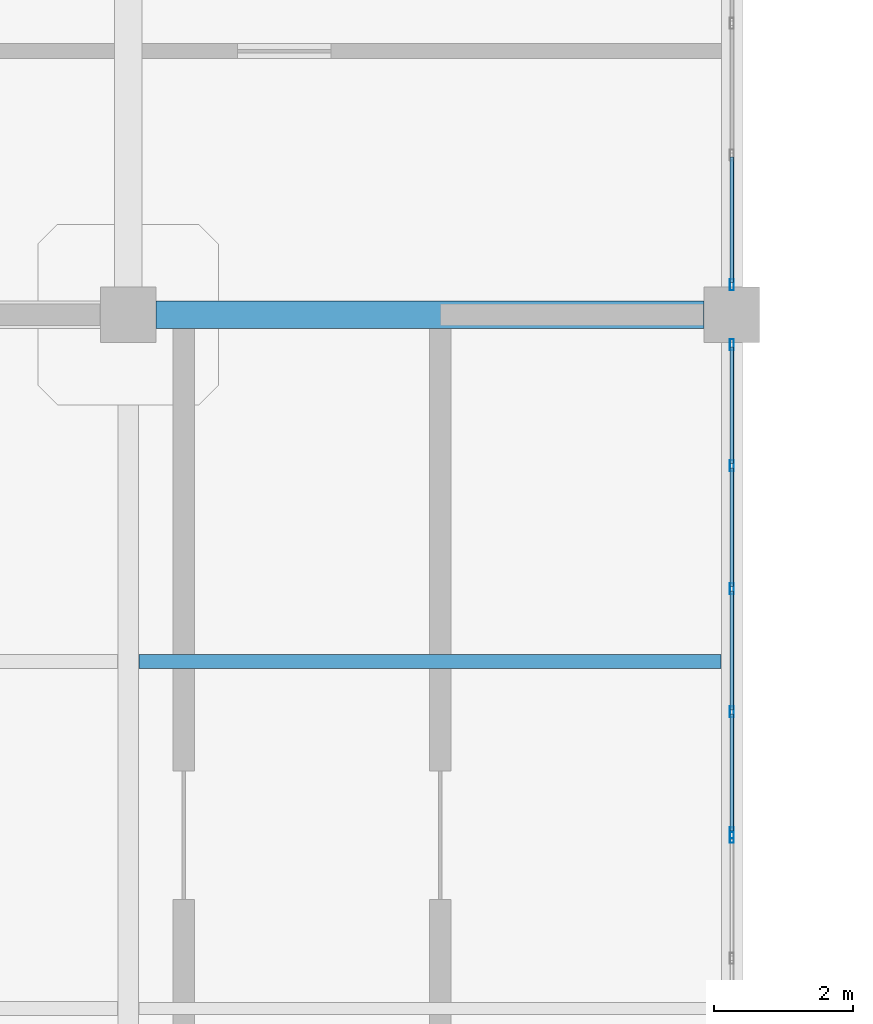
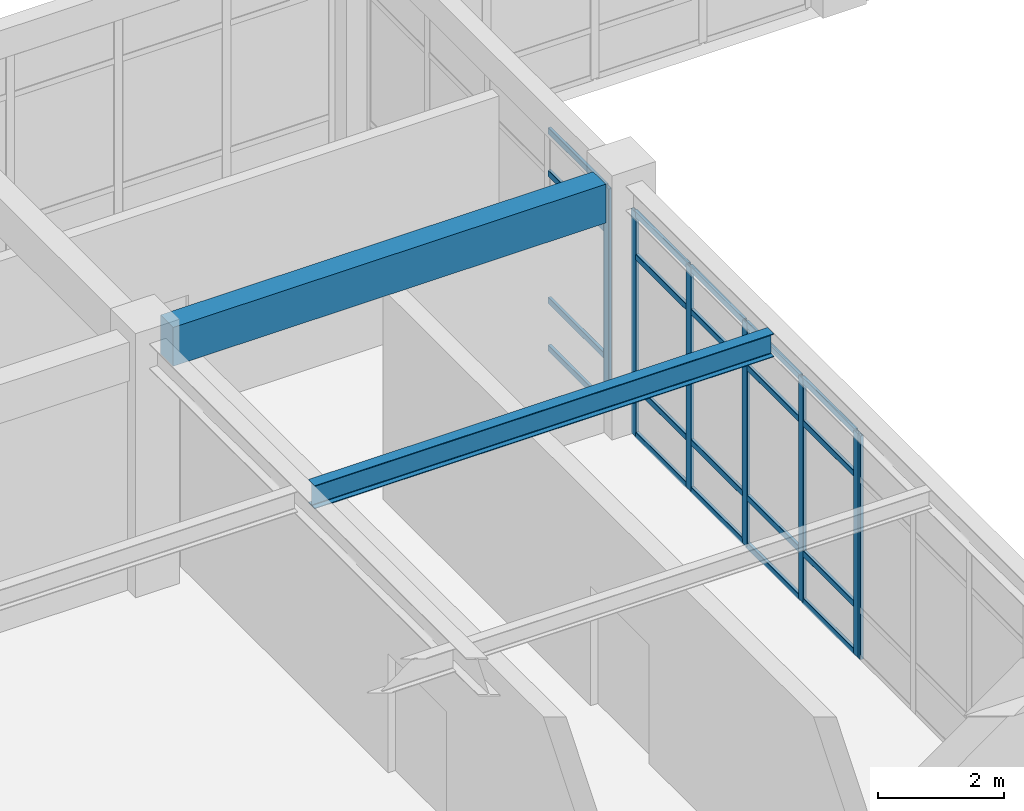
# One storey, part 43 of 96: 27 members, 2 beams, 3 elements without a shape of their own.
"""IFC4 building model written with IfcOpenShell, lengths in metres."""

from ifc_helpers import new_model, si_unit, derived_unit, direction, frame, origin, origin_2d, place, context, subcontext, project, spatial, rectangle, hollow_rectangle, i_section, extrude, material, layer, layer_set, material_profile, profile_set, type_object, element, aggregate, save


model = new_model("IFC4")

# Units and contexts
model_context = context("Model", 3, precision=1e-05, world=origin(), true_north=direction((0.0, 1.0)))
body_context = subcontext(model_context, "Body", "Model", "MODEL_VIEW")
ifc_project = project(units=[si_unit("LENGTHUNIT", "METRE"), si_unit("AREAUNIT", "SQUARE_METRE"), si_unit("VOLUMEUNIT", "CUBIC_METRE"), si_unit("PLANEANGLEUNIT", "RADIAN"), si_unit("MASSUNIT", "GRAM", prefix="KILO"), derived_unit("THERMALTRANSMITTANCEUNIT", [(si_unit("MASSUNIT", "GRAM", prefix="KILO"), 1), (si_unit("TIMEUNIT", "SECOND"), -3), (si_unit("THERMODYNAMICTEMPERATUREUNIT", "KELVIN"), -1)])], contexts=[model_context])

# Site, building, storey
site_placement = place(None, origin())
site = spatial("IfcSite", under=ifc_project, at=site_placement, CompositionType="ELEMENT")
building_placement = place(site_placement, origin())
building = spatial("IfcBuilding", under=site, at=building_placement, Name="Qinzheling Arcade Emporium", CompositionType="ELEMENT")
storey_placement = place(building_placement, frame((0.0, 0.0, 21.60009765625)))
storey = spatial("IfcBuildingStorey", under=building, at=storey_placement, Name="L05", CompositionType="ELEMENT", Elevation=21.60009765625)

# Curtain wall, member
ifc_material_1 = material(Name="Anodised aluminium and solar-control double glazing", Category="aluminium")
ifc_layer = layer(ifc_material_1, 0.159912109375, Name="Anodised aluminium and solar-control double glazing", Category="aluminium")
ifc_layer_set = layer_set([ifc_layer], Name="Anodised aluminium and solar-control double glazing")
curtain_wall_type = type_object("IfcCurtainWallType", Name="Atrium Clerestory Curtain Wall", PredefinedType="NOTDEFINED", material=ifc_layer_set)
curtain_wall_1_placement = place(storey_placement, origin())
curtain_wall_1 = element("IfcCurtainWall", 1, at=curtain_wall_1_placement, inside=storey, type_object=curtain_wall_type, Name="Curtain Wall CW-L05-326", PredefinedType="NOTDEFINED")
ifc_material_2 = material(Name="Anodised aluminium 6063-T6", Category="aluminium")
ifc_material_profile_1 = material_profile(ifc_material_2, hollow_rectangle(XDim=0.06005859375, YDim=0.159912109375, WallThickness=0.00390625, InnerFilletRadius=0.00390625, OuterFilletRadius=0.008056640625, at=origin_2d()), Name="RHS 160x60x4", Category="aluminium")
ifc_profile_set_1 = profile_set([ifc_material_profile_1], Name="Anodised aluminium 6063-T6")
member_type_1 = type_object("IfcMemberType", Name="Curtain Wall Mullion RHS160x60", PredefinedType="MULLION", material=ifc_profile_set_1)
member_1_placement = place(storey_placement, frame((104.39990234375, 65.83203125, 0.0), z_axis=(0.0, 0.0, 1.0), x_axis=(1.0, 0.0, 0.0)))
member_1 = element("IfcMember", 2, at=member_1_placement, type_object=member_type_1, Name="CW03 mullion 5", PredefinedType="MULLION", context=body_context, shape_type="SweptSolid", body=[
    extrude(hollow_rectangle(XDim=0.06005859375, YDim=0.159912109375, WallThickness=0.00390625, InnerFilletRadius=0.00390625, OuterFilletRadius=0.008056640625, at=origin_2d()), origin(), (0.0, 0.0, 1.0), 4.2548828125),
])

# Curtain wall, members
curtain_wall_2_placement = place(storey_placement, origin())
curtain_wall_2 = element("IfcCurtainWall", 3, at=curtain_wall_2_placement, inside=storey, type_object=curtain_wall_type, Name="Curtain Wall CW-L05-327", PredefinedType="NOTDEFINED")
member_2_placement = place(storey_placement, frame((104.39990234375, 64.968017578125, 0.0), z_axis=(0.0, 0.0, 1.0), x_axis=(1.0, 0.0, 0.0)))
member_2 = element("IfcMember", 4, at=member_2_placement, type_object=member_type_1, Name="CW03 mullion 1", PredefinedType="MULLION", context=body_context, shape_type="SweptSolid", body=[
    extrude(hollow_rectangle(XDim=0.06005859375, YDim=0.159912109375, WallThickness=0.00390625, InnerFilletRadius=0.00390625, OuterFilletRadius=0.008056640625, at=origin_2d()), origin(), (0.0, 0.0, 1.0), 4.31689453125),
])
member_3_placement = place(storey_placement, frame((104.39990234375, 63.22412109375, 0.0), z_axis=(0.0, 0.0, 1.0), x_axis=(1.0, 0.0, 0.0)))
member_3 = element("IfcMember", 5, at=member_3_placement, type_object=member_type_1, Name="CW03 mullion 2", PredefinedType="MULLION", context=body_context, shape_type="SweptSolid", body=[
    extrude(hollow_rectangle(XDim=0.06005859375, YDim=0.159912109375, WallThickness=0.00390625, InnerFilletRadius=0.00390625, OuterFilletRadius=0.008056640625, at=origin_2d()), origin(), (0.0, 0.0, 1.0), 4.31689453125),
])
member_4_placement = place(storey_placement, frame((104.39990234375, 61.449951171875, 0.0), z_axis=(0.0, 0.0, 1.0), x_axis=(1.0, 0.0, 0.0)))
member_4 = element("IfcMember", 6, at=member_4_placement, type_object=member_type_1, Name="CW03 mullion 3", PredefinedType="MULLION", context=body_context, shape_type="SweptSolid", body=[
    extrude(hollow_rectangle(XDim=0.06005859375, YDim=0.159912109375, WallThickness=0.00390625, InnerFilletRadius=0.00390625, OuterFilletRadius=0.008056640625, at=origin_2d()), origin(), (0.0, 0.0, 1.0), 4.31689453125),
])
member_5_placement = place(storey_placement, frame((104.39990234375, 59.676025390625, 0.0), z_axis=(0.0, 0.0, 1.0), x_axis=(1.0, 0.0, 0.0)))
member_5 = element("IfcMember", 7, at=member_5_placement, type_object=member_type_1, Name="CW03 mullion 4", PredefinedType="MULLION", context=body_context, shape_type="SweptSolid", body=[
    extrude(hollow_rectangle(XDim=0.06005859375, YDim=0.159912109375, WallThickness=0.00390625, InnerFilletRadius=0.00390625, OuterFilletRadius=0.008056640625, at=origin_2d()), origin(), (0.0, 0.0, 1.0), 4.31689453125),
])
member_6_placement = place(storey_placement, frame((104.39990234375, 57.931884765625, 0.0), z_axis=(0.0, 0.0, 1.0), x_axis=(1.0, 0.0, 0.0)))
member_6 = element("IfcMember", 8, at=member_6_placement, type_object=member_type_1, Name="CW03 mullion 5", PredefinedType="MULLION", context=body_context, shape_type="SweptSolid", body=[
    extrude(hollow_rectangle(XDim=0.06005859375, YDim=0.159912109375, WallThickness=0.00390625, InnerFilletRadius=0.00390625, OuterFilletRadius=0.008056640625, at=origin_2d()), origin(), (0.0, 0.0, 1.0), 4.31689453125),
])

# Curtain wall, member
curtain_wall_3_placement = place(storey_placement, origin())
curtain_wall_3 = element("IfcCurtainWall", 9, at=curtain_wall_3_placement, inside=storey, type_object=curtain_wall_type, Name="Curtain Wall CW-L05-328", PredefinedType="NOTDEFINED")
member_7_placement = place(storey_placement, frame((104.39990234375, 57.867919921875, 0.0), z_axis=(0.0, 0.0, 1.0), x_axis=(1.0, 0.0, 0.0)))
member_7 = element("IfcMember", 10, at=member_7_placement, type_object=member_type_1, Name="CW03 mullion 1", PredefinedType="MULLION", context=body_context, shape_type="SweptSolid", body=[
    extrude(hollow_rectangle(XDim=0.06005859375, YDim=0.159912109375, WallThickness=0.00390625, InnerFilletRadius=0.00390625, OuterFilletRadius=0.008056640625, at=origin_2d()), origin(), (0.0, 0.0, 1.0), 4.31689453125),
])
aggregate(curtain_wall_3, [member_7])

# Member
ifc_material_profile_2 = material_profile(ifc_material_2, hollow_rectangle(XDim=0.06005859375, YDim=0.1201171875, WallThickness=0.00390625, InnerFilletRadius=0.00390625, OuterFilletRadius=0.008056640625, at=origin_2d()), Name="RHS 120x60x4", Category="aluminium")
ifc_profile_set_2 = profile_set([ifc_material_profile_2], Name="Anodised aluminium 6063-T6")
member_type_2 = type_object("IfcMemberType", Name="Curtain Wall Transom RHS120x60", PredefinedType="USERDEFINED", material=ifc_profile_set_2)
member_8_placement = place(storey_placement, frame((104.39990234375, 67.6708984375, 0.02978515625), z_axis=(0.0, -1.0, 0.0), x_axis=(1.0, 0.0, 0.0)))
member_8 = element("IfcMember", 11, at=member_8_placement, type_object=member_type_2, Name="CW03 transom 4.1", ObjectType="TRANSOM", PredefinedType="USERDEFINED", context=body_context, shape_type="SweptSolid", body=[
    extrude(hollow_rectangle(XDim=0.06005859375, YDim=0.1201171875, WallThickness=0.00390625, InnerFilletRadius=0.00390625, OuterFilletRadius=0.008056640625, at=origin_2d()), origin(), (0.0, 0.0, 1.0), 1.808837890625),
])

member_9_placement = place(storey_placement, frame((104.39990234375, 67.6708984375, 0.949951171875), z_axis=(0.0, -1.0, 0.0), x_axis=(1.0, 0.0, 0.0)))
member_9 = element("IfcMember", 12, at=member_9_placement, type_object=member_type_2, Name="CW03 transom 4.2", ObjectType="TRANSOM", PredefinedType="USERDEFINED", context=body_context, shape_type="SweptSolid", body=[
    extrude(hollow_rectangle(XDim=0.06005859375, YDim=0.1201171875, WallThickness=0.00390625, InnerFilletRadius=0.00390625, OuterFilletRadius=0.008056640625, at=origin_2d()), origin(), (0.0, 0.0, 1.0), 1.808837890625),
])

member_10_placement = place(storey_placement, frame((104.39990234375, 67.6708984375, 3.40478515625), z_axis=(0.0, -1.0, 0.0), x_axis=(1.0, 0.0, 0.0)))
member_10 = element("IfcMember", 13, at=member_10_placement, type_object=member_type_2, Name="CW03 transom 4.3", ObjectType="TRANSOM", PredefinedType="USERDEFINED", context=body_context, shape_type="SweptSolid", body=[
    extrude(hollow_rectangle(XDim=0.06005859375, YDim=0.1201171875, WallThickness=0.00390625, InnerFilletRadius=0.00390625, OuterFilletRadius=0.008056640625, at=origin_2d()), origin(), (0.0, 0.0, 1.0), 1.808837890625),
])

member_11_placement = place(storey_placement, frame((104.39990234375, 67.6708984375, 4.224853515625), z_axis=(0.0, -1.0, 0.0), x_axis=(1.0, 0.0, 0.0)))
member_11 = element("IfcMember", 14, at=member_11_placement, type_object=member_type_2, Name="CW03 transom 4.4", ObjectType="TRANSOM", PredefinedType="USERDEFINED", context=body_context, shape_type="SweptSolid", body=[
    extrude(hollow_rectangle(XDim=0.06005859375, YDim=0.1201171875, WallThickness=0.00390625, InnerFilletRadius=0.00390625, OuterFilletRadius=0.008056640625, at=origin_2d()), origin(), (0.0, 0.0, 1.0), 1.808837890625),
])

aggregate(curtain_wall_1, [member_1, member_8, member_9, member_10, member_11])

member_12_placement = place(storey_placement, frame((104.39990234375, 64.93798828125, 0.02978515625), z_axis=(0.0, -1.0, 0.0), x_axis=(1.0, 0.0, 0.0)))
member_12 = element("IfcMember", 15, at=member_12_placement, type_object=member_type_2, Name="CW03 transom 1.1", ObjectType="TRANSOM", PredefinedType="USERDEFINED", context=body_context, shape_type="SweptSolid", body=[
    extrude(hollow_rectangle(XDim=0.06005859375, YDim=0.1201171875, WallThickness=0.00390625, InnerFilletRadius=0.00390625, OuterFilletRadius=0.008056640625, at=origin_2d()), origin(), (0.0, 0.0, 1.0), 1.68408203125),
])

member_13_placement = place(storey_placement, frame((104.39990234375, 64.93798828125, 0.949951171875), z_axis=(0.0, -1.0, 0.0), x_axis=(1.0, 0.0, 0.0)))
member_13 = element("IfcMember", 16, at=member_13_placement, type_object=member_type_2, Name="CW03 transom 1.2", ObjectType="TRANSOM", PredefinedType="USERDEFINED", context=body_context, shape_type="SweptSolid", body=[
    extrude(hollow_rectangle(XDim=0.06005859375, YDim=0.1201171875, WallThickness=0.00390625, InnerFilletRadius=0.00390625, OuterFilletRadius=0.008056640625, at=origin_2d()), origin(), (0.0, 0.0, 1.0), 1.68408203125),
])

member_14_placement = place(storey_placement, frame((104.39990234375, 64.93798828125, 3.466796875), z_axis=(0.0, -1.0, 0.0), x_axis=(1.0, 0.0, 0.0)))
member_14 = element("IfcMember", 17, at=member_14_placement, type_object=member_type_2, Name="CW03 transom 1.3", ObjectType="TRANSOM", PredefinedType="USERDEFINED", context=body_context, shape_type="SweptSolid", body=[
    extrude(hollow_rectangle(XDim=0.06005859375, YDim=0.1201171875, WallThickness=0.00390625, InnerFilletRadius=0.00390625, OuterFilletRadius=0.008056640625, at=origin_2d()), origin(), (0.0, 0.0, 1.0), 1.68408203125),
])

member_15_placement = place(storey_placement, frame((104.39990234375, 64.93798828125, 4.286865234375), z_axis=(0.0, -1.0, 0.0), x_axis=(1.0, 0.0, 0.0)))
member_15 = element("IfcMember", 18, at=member_15_placement, type_object=member_type_2, Name="CW03 transom 1.4", ObjectType="TRANSOM", PredefinedType="USERDEFINED", context=body_context, shape_type="SweptSolid", body=[
    extrude(hollow_rectangle(XDim=0.06005859375, YDim=0.1201171875, WallThickness=0.00390625, InnerFilletRadius=0.00390625, OuterFilletRadius=0.008056640625, at=origin_2d()), origin(), (0.0, 0.0, 1.0), 1.68408203125),
])

member_16_placement = place(storey_placement, frame((104.39990234375, 63.194091796875, 0.02978515625), z_axis=(0.0, -1.0, 0.0), x_axis=(1.0, 0.0, 0.0)))
member_16 = element("IfcMember", 19, at=member_16_placement, type_object=member_type_2, Name="CW03 transom 2.1", ObjectType="TRANSOM", PredefinedType="USERDEFINED", context=body_context, shape_type="SweptSolid", body=[
    extrude(hollow_rectangle(XDim=0.06005859375, YDim=0.1201171875, WallThickness=0.00390625, InnerFilletRadius=0.00390625, OuterFilletRadius=0.008056640625, at=origin_2d()), origin(), (0.0, 0.0, 1.0), 1.714111328125),
])

member_17_placement = place(storey_placement, frame((104.39990234375, 63.194091796875, 0.949951171875), z_axis=(0.0, -1.0, 0.0), x_axis=(1.0, 0.0, 0.0)))
member_17 = element("IfcMember", 20, at=member_17_placement, type_object=member_type_2, Name="CW03 transom 2.2", ObjectType="TRANSOM", PredefinedType="USERDEFINED", context=body_context, shape_type="SweptSolid", body=[
    extrude(hollow_rectangle(XDim=0.06005859375, YDim=0.1201171875, WallThickness=0.00390625, InnerFilletRadius=0.00390625, OuterFilletRadius=0.008056640625, at=origin_2d()), origin(), (0.0, 0.0, 1.0), 1.714111328125),
])

member_18_placement = place(storey_placement, frame((104.39990234375, 63.194091796875, 3.466796875), z_axis=(0.0, -1.0, 0.0), x_axis=(1.0, 0.0, 0.0)))
member_18 = element("IfcMember", 21, at=member_18_placement, type_object=member_type_2, Name="CW03 transom 2.3", ObjectType="TRANSOM", PredefinedType="USERDEFINED", context=body_context, shape_type="SweptSolid", body=[
    extrude(hollow_rectangle(XDim=0.06005859375, YDim=0.1201171875, WallThickness=0.00390625, InnerFilletRadius=0.00390625, OuterFilletRadius=0.008056640625, at=origin_2d()), origin(), (0.0, 0.0, 1.0), 1.714111328125),
])

member_19_placement = place(storey_placement, frame((104.39990234375, 63.194091796875, 4.286865234375), z_axis=(0.0, -1.0, 0.0), x_axis=(1.0, 0.0, 0.0)))
member_19 = element("IfcMember", 22, at=member_19_placement, type_object=member_type_2, Name="CW03 transom 2.4", ObjectType="TRANSOM", PredefinedType="USERDEFINED", context=body_context, shape_type="SweptSolid", body=[
    extrude(hollow_rectangle(XDim=0.06005859375, YDim=0.1201171875, WallThickness=0.00390625, InnerFilletRadius=0.00390625, OuterFilletRadius=0.008056640625, at=origin_2d()), origin(), (0.0, 0.0, 1.0), 1.714111328125),
])

member_20_placement = place(storey_placement, frame((104.39990234375, 61.419921875, 0.02978515625), z_axis=(0.0, -1.0, 0.0), x_axis=(1.0, 0.0, 0.0)))
member_20 = element("IfcMember", 23, at=member_20_placement, type_object=member_type_2, Name="CW03 transom 3.1", ObjectType="TRANSOM", PredefinedType="USERDEFINED", context=body_context, shape_type="SweptSolid", body=[
    extrude(hollow_rectangle(XDim=0.06005859375, YDim=0.1201171875, WallThickness=0.00390625, InnerFilletRadius=0.00390625, OuterFilletRadius=0.008056640625, at=origin_2d()), origin(), (0.0, 0.0, 1.0), 1.7138671875),
])

member_21_placement = place(storey_placement, frame((104.39990234375, 61.419921875, 0.949951171875), z_axis=(0.0, -1.0, 0.0), x_axis=(1.0, 0.0, 0.0)))
member_21 = element("IfcMember", 24, at=member_21_placement, type_object=member_type_2, Name="CW03 transom 3.2", ObjectType="TRANSOM", PredefinedType="USERDEFINED", context=body_context, shape_type="SweptSolid", body=[
    extrude(hollow_rectangle(XDim=0.06005859375, YDim=0.1201171875, WallThickness=0.00390625, InnerFilletRadius=0.00390625, OuterFilletRadius=0.008056640625, at=origin_2d()), origin(), (0.0, 0.0, 1.0), 1.7138671875),
])

member_22_placement = place(storey_placement, frame((104.39990234375, 61.419921875, 3.466796875), z_axis=(0.0, -1.0, 0.0), x_axis=(1.0, 0.0, 0.0)))
member_22 = element("IfcMember", 25, at=member_22_placement, type_object=member_type_2, Name="CW03 transom 3.3", ObjectType="TRANSOM", PredefinedType="USERDEFINED", context=body_context, shape_type="SweptSolid", body=[
    extrude(hollow_rectangle(XDim=0.06005859375, YDim=0.1201171875, WallThickness=0.00390625, InnerFilletRadius=0.00390625, OuterFilletRadius=0.008056640625, at=origin_2d()), origin(), (0.0, 0.0, 1.0), 1.7138671875),
])

member_23_placement = place(storey_placement, frame((104.39990234375, 61.419921875, 4.286865234375), z_axis=(0.0, -1.0, 0.0), x_axis=(1.0, 0.0, 0.0)))
member_23 = element("IfcMember", 26, at=member_23_placement, type_object=member_type_2, Name="CW03 transom 3.4", ObjectType="TRANSOM", PredefinedType="USERDEFINED", context=body_context, shape_type="SweptSolid", body=[
    extrude(hollow_rectangle(XDim=0.06005859375, YDim=0.1201171875, WallThickness=0.00390625, InnerFilletRadius=0.00390625, OuterFilletRadius=0.008056640625, at=origin_2d()), origin(), (0.0, 0.0, 1.0), 1.7138671875),
])

member_24_placement = place(storey_placement, frame((104.39990234375, 59.64599609375, 0.02978515625), z_axis=(0.0, -1.0, 0.0), x_axis=(1.0, 0.0, 0.0)))
member_24 = element("IfcMember", 27, at=member_24_placement, type_object=member_type_2, Name="CW03 transom 4.1", ObjectType="TRANSOM", PredefinedType="USERDEFINED", context=body_context, shape_type="SweptSolid", body=[
    extrude(hollow_rectangle(XDim=0.06005859375, YDim=0.1201171875, WallThickness=0.00390625, InnerFilletRadius=0.00390625, OuterFilletRadius=0.008056640625, at=origin_2d()), origin(), (0.0, 0.0, 1.0), 1.68408203125),
])

member_25_placement = place(storey_placement, frame((104.39990234375, 59.64599609375, 0.949951171875), z_axis=(0.0, -1.0, 0.0), x_axis=(1.0, 0.0, 0.0)))
member_25 = element("IfcMember", 28, at=member_25_placement, type_object=member_type_2, Name="CW03 transom 4.2", ObjectType="TRANSOM", PredefinedType="USERDEFINED", context=body_context, shape_type="SweptSolid", body=[
    extrude(hollow_rectangle(XDim=0.06005859375, YDim=0.1201171875, WallThickness=0.00390625, InnerFilletRadius=0.00390625, OuterFilletRadius=0.008056640625, at=origin_2d()), origin(), (0.0, 0.0, 1.0), 1.68408203125),
])

member_26_placement = place(storey_placement, frame((104.39990234375, 59.64599609375, 3.466796875), z_axis=(0.0, -1.0, 0.0), x_axis=(1.0, 0.0, 0.0)))
member_26 = element("IfcMember", 29, at=member_26_placement, type_object=member_type_2, Name="CW03 transom 4.3", ObjectType="TRANSOM", PredefinedType="USERDEFINED", context=body_context, shape_type="SweptSolid", body=[
    extrude(hollow_rectangle(XDim=0.06005859375, YDim=0.1201171875, WallThickness=0.00390625, InnerFilletRadius=0.00390625, OuterFilletRadius=0.008056640625, at=origin_2d()), origin(), (0.0, 0.0, 1.0), 1.68408203125),
])

member_27_placement = place(storey_placement, frame((104.39990234375, 59.64599609375, 4.286865234375), z_axis=(0.0, -1.0, 0.0), x_axis=(1.0, 0.0, 0.0)))
member_27 = element("IfcMember", 30, at=member_27_placement, type_object=member_type_2, Name="CW03 transom 4.4", ObjectType="TRANSOM", PredefinedType="USERDEFINED", context=body_context, shape_type="SweptSolid", body=[
    extrude(hollow_rectangle(XDim=0.06005859375, YDim=0.1201171875, WallThickness=0.00390625, InnerFilletRadius=0.00390625, OuterFilletRadius=0.008056640625, at=origin_2d()), origin(), (0.0, 0.0, 1.0), 1.68408203125),
])

aggregate(curtain_wall_2, [member_2, member_3, member_4, member_5, member_6, member_12, member_13, member_14, member_15, member_16, member_17, member_18, member_19, member_20, member_21, member_22, member_23, member_24, member_25, member_26, member_27])

# Beams
ifc_material_3 = material(Name="Concrete C40", Category="concrete")
ifc_material_profile_3 = material_profile(ifc_material_3, rectangle(XDim=0.39990234375, YDim=0.75, at=origin_2d()), Name="RC 400x750", Category="concrete")
ifc_profile_set_3 = profile_set([ifc_material_profile_3], Name="Concrete C40")
beam_type_1 = type_object("IfcBeamType", Name="RC Interior Tie Beam 400x750 C40", PredefinedType="BEAM", material=ifc_profile_set_3)
beam_1_placement = place(storey_placement, frame((96.10009765625, 65.39990234375, 4.44482421875), z_axis=(1.0, 0.0, 0.0), x_axis=(0.0, 1.0, 0.0)))
element("IfcBeam", 31, at=beam_1_placement, inside=storey, type_object=beam_type_1, Name="Beam BM-L05-X-H-12", PredefinedType="BEAM", context=body_context, shape_type="SweptSolid", body=[
    extrude(rectangle(XDim=0.39990234375, YDim=0.75, at=origin_2d()), origin(), (0.0, 0.0, 1.0), 7.89990234375),
])
ifc_material_4 = material(Name="Structural steel Q355B", Category="steel")
ifc_material_profile_4 = material_profile(ifc_material_4, i_section(OverallWidth=0.199951171875, OverallDepth=0.449951171875, WebThickness=0.009033203125, FlangeThickness=0.013916015625, FilletRadius=0.01611328125, at=origin_2d()), Name="HN 450x200x9x14", Category="steel")
ifc_profile_set_4 = profile_set([ifc_material_profile_4], Name="Structural steel Q355B")
beam_type_2 = type_object("IfcBeamType", Name="Secondary Floor Joist HN450 Q355B", PredefinedType="JOIST", material=ifc_profile_set_4)
beam_2_placement = place(storey_placement, frame((95.85498046875, 60.39990234375, 4.594970703125), z_axis=(1.0, 0.0, 0.0), x_axis=(0.0, 1.0, 0.0)))
element("IfcBeam", 32, at=beam_2_placement, inside=storey, type_object=beam_type_2, Name="Secondary Joist JST-L05-12-2", PredefinedType="JOIST", context=body_context, shape_type="SweptSolid", body=[
    extrude(i_section(OverallWidth=0.199951171875, OverallDepth=0.449951171875, WebThickness=0.009033203125, FlangeThickness=0.013916015625, FilletRadius=0.01611328125, at=origin_2d()), origin(), (0.0, 0.0, 1.0), 8.39013671875),
])

save(model, "model.ifc")
